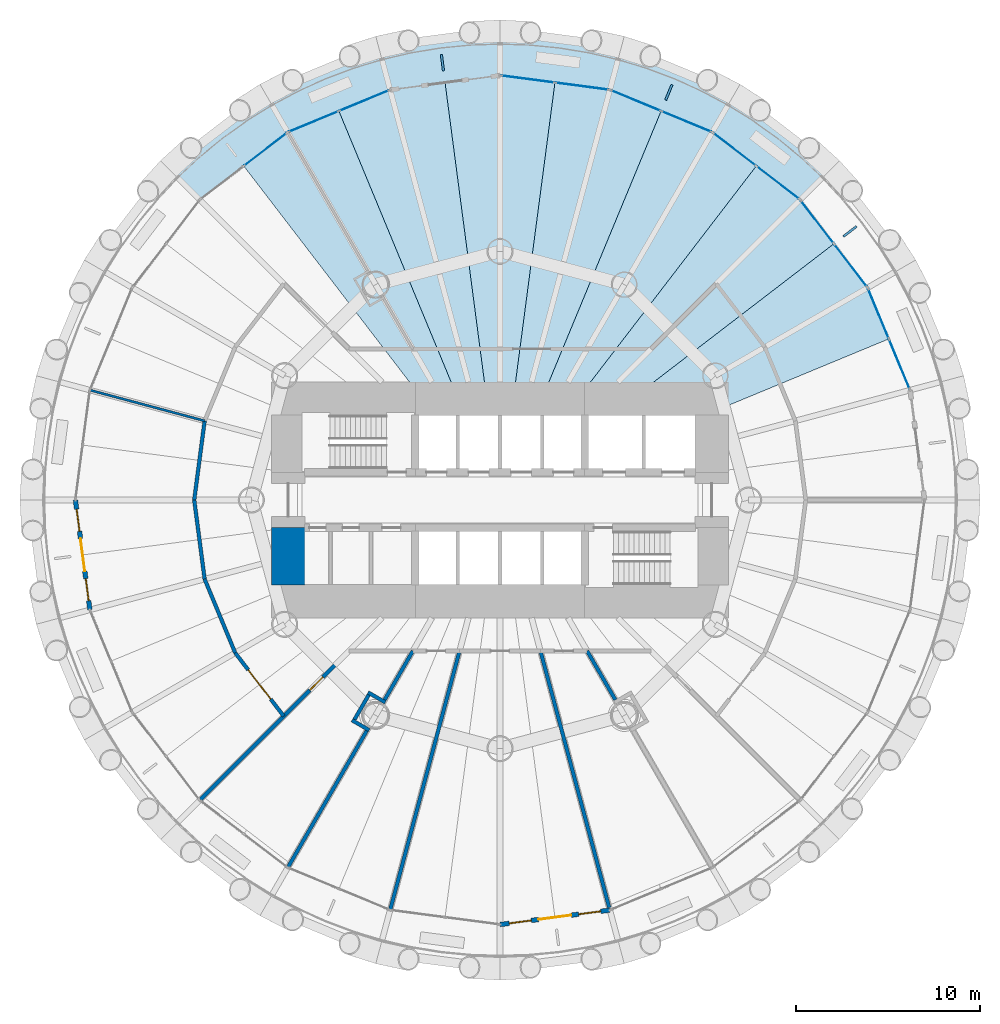
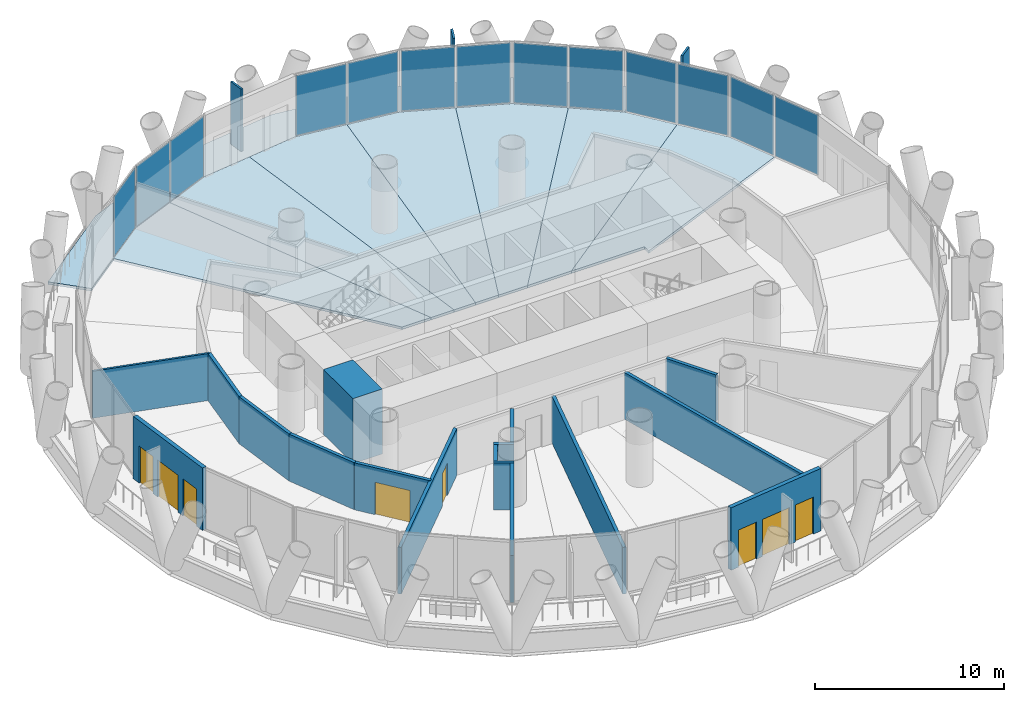
# One storey, part 8 of 14: 17 walls, 16 plates, 8 slabs, 4 doors, 4 windows, 8 openings, 7 elements without a shape of their own.
"""IFC4 building model written with IfcOpenShell, lengths in metres."""

from ifc_helpers import new_model, si_unit, direction, frame, frame_2d, origin, origin_2d, place, context, subcontext, project, spatial, polyline, rectangle, outline, extrude, material, layer, layer_set, type_object, element, fill, aggregate, save


model = new_model("IFC4")

# Units and contexts
model_context = context("Model", 3, precision=1e-05, world=origin(), true_north=direction((0.0, 1.0)))
body_context = subcontext(model_context, "Body", "Model", "MODEL_VIEW")
ifc_project = project(units=[si_unit("LENGTHUNIT", "METRE"), si_unit("AREAUNIT", "SQUARE_METRE"), si_unit("VOLUMEUNIT", "CUBIC_METRE"), si_unit("PLANEANGLEUNIT", "RADIAN"), si_unit("MASSUNIT", "GRAM", prefix="KILO")], contexts=[model_context])

# Site, building, storey
site_placement = place(None, origin())
site = spatial("IfcSite", under=ifc_project, at=site_placement, CompositionType="ELEMENT")
building_placement = place(site_placement, origin())
building = spatial("IfcBuilding", under=site, at=building_placement, Name="Qaws Media Tower", CompositionType="ELEMENT")
storey_placement = place(building_placement, frame((0.0, 0.0, 93.199951171875)))
storey = spatial("IfcBuildingStorey", under=building, at=storey_placement, Name="L20", CompositionType="ELEMENT", Elevation=93.199951171875)

# Slabs
ifc_material_1 = material(Name="Concrete C35/45", Category="concrete")
ifc_layer_1 = layer(ifc_material_1, 0.159912109375)
ifc_layer_set_1 = layer_set([ifc_layer_1], Name="Composite balcony slab 160")
slab_type_1 = type_object("IfcSlabType", Name="Composite balcony slab 160", PredefinedType="FLOOR", material=ifc_layer_set_1)
slab_1_placement = place(storey_placement, frame((0.0, 0.0, -0.159912109375)))
element("IfcSlab", 1, at=slab_1_placement, inside=storey, type_object=slab_type_1, Name="S2 balcony slab L20 R04 to R10, movement joints on R04 and R10", PredefinedType="FLOOR", context=body_context, shape_type="SweptSolid", body=[
    extrude(outline(polyline([(47.27490234375, 72.040283203125), (53.4130859375, 74.582763671875), (60.0, 75.449951171875), (66.5869140625, 74.582763671875), (72.72509765625, 72.040283203125), (77.995849609375, 67.995849609375), (76.298828125, 66.298828125), (71.52490234375, 69.9619140625), (65.9658203125, 72.2646484375), (60.0, 73.050048828125), (54.0341796875, 72.2646484375), (48.47509765625, 69.9619140625), (43.701171875, 66.298828125), (42.004150390625, 67.995849609375), (47.27490234375, 72.040283203125)])), origin(), (0.0, 0.0, 1.0), 0.159912109375),
])
ifc_material_2 = material(Name="Concrete C35/45", Category="concrete")
ifc_layer_2 = layer(ifc_material_2, 0.159912109375)
ifc_layer_set_2 = layer_set([ifc_layer_2], Name="Composite floor slab 160")
slab_type_2 = type_object("IfcSlabType", Name="Composite floor slab 160", PredefinedType="FLOOR", material=ifc_layer_set_2)
slab_2_placement = place(storey_placement, frame((0.0, 0.0, -0.159912109375)))
element("IfcSlab", 2, at=slab_2_placement, inside=storey, type_object=slab_type_2, Name="S1 floor panel L20 on R03", PredefinedType="FLOOR", context=body_context, shape_type="SweptSolid", body=[
    extrude(outline(polyline([(79.9619140625, 61.52490234375), (81.11328125, 58.745361328125), (71.0, 54.556396484375), (71.0, 55.0), (66.51611328125, 55.0), (78.13037109375, 63.911865234375), (79.9619140625, 61.52490234375)])), origin(), (0.0, 0.0, 1.0), 0.159912109375),
])
slab_3_placement = place(storey_placement, frame((0.0, 0.0, -0.159912109375)))
element("IfcSlab", 3, at=slab_3_placement, inside=storey, type_object=slab_type_2, Name="S1 floor panel L20 on R04", PredefinedType="FLOOR", context=body_context, shape_type="SweptSolid", body=[
    extrude(outline(polyline([(76.298828125, 66.298828125), (78.13037109375, 63.911865234375), (66.51611328125, 55.0), (63.836669921875, 55.0), (73.911865234375, 68.13037109375), (76.298828125, 66.298828125)])), origin(), (0.0, 0.0, 1.0), 0.159912109375),
])
slab_4_placement = place(storey_placement, frame((0.0, 0.0, -0.159912109375)))
element("IfcSlab", 4, at=slab_4_placement, inside=storey, type_object=slab_type_2, Name="S1 floor panel L20 on R05", PredefinedType="FLOOR", context=body_context, shape_type="SweptSolid", body=[
    extrude(outline(polyline([(71.52490234375, 69.9619140625), (73.911865234375, 68.13037109375), (63.836669921875, 55.0), (62.071044921875, 55.0), (68.745361328125, 71.11328125), (71.52490234375, 69.9619140625)])), origin(), (0.0, 0.0, 1.0), 0.159912109375),
])
slab_5_placement = place(storey_placement, frame((0.0, 0.0, -0.159912109375)))
element("IfcSlab", 5, at=slab_5_placement, inside=storey, type_object=slab_type_2, Name="S1 floor panel L20 on R06", PredefinedType="FLOOR", context=body_context, shape_type="SweptSolid", body=[
    extrude(outline(polyline([(65.9658203125, 72.2646484375), (68.745361328125, 71.11328125), (62.071044921875, 55.0), (60.658203125, 55.0), (62.98291015625, 72.6572265625), (65.9658203125, 72.2646484375)])), origin(), (0.0, 0.0, 1.0), 0.159912109375),
])
slab_6_placement = place(storey_placement, frame((0.0, 0.0, -0.159912109375)))
element("IfcSlab", 6, at=slab_6_placement, inside=storey, type_object=slab_type_2, Name="S1 floor panel L20 on R07", PredefinedType="FLOOR", context=body_context, shape_type="SweptSolid", body=[
    extrude(outline(polyline([(60.0, 73.050048828125), (62.98291015625, 72.6572265625), (60.658203125, 55.0), (59.341796875, 55.0), (57.01708984375, 72.6572265625), (60.0, 73.050048828125)])), origin(), (0.0, 0.0, 1.0), 0.159912109375),
])
slab_7_placement = place(storey_placement, frame((0.0, 0.0, -0.159912109375)))
element("IfcSlab", 7, at=slab_7_placement, inside=storey, type_object=slab_type_2, Name="S1 floor panel L20 on R08", PredefinedType="FLOOR", context=body_context, shape_type="SweptSolid", body=[
    extrude(outline(polyline([(54.0341796875, 72.2646484375), (57.01708984375, 72.6572265625), (59.341796875, 55.0), (57.928955078125, 55.0), (51.254638671875, 71.11328125), (54.0341796875, 72.2646484375)])), origin(), (0.0, 0.0, 1.0), 0.159912109375),
])
slab_8_placement = place(storey_placement, frame((0.0, 0.0, -0.159912109375)))
element("IfcSlab", 8, at=slab_8_placement, inside=storey, type_object=slab_type_2, Name="S1 floor panel L20 on R09", PredefinedType="FLOOR", context=body_context, shape_type="SweptSolid", body=[
    extrude(outline(polyline([(48.47509765625, 69.9619140625), (51.254638671875, 71.11328125), (57.928955078125, 55.0), (56.163330078125, 55.0), (46.088134765625, 68.13037109375), (48.47509765625, 69.9619140625)])), origin(), (0.0, 0.0, 1.0), 0.159912109375),
])

# Curtain wall, plates
ifc_material_3 = material(Name="Aluminium and clear glass", Category="aluminium")
curtain_wall_type = type_object("IfcCurtainWallType", Name="Unitised curtain wall CW-A", PredefinedType="NOTDEFINED", material=ifc_material_3)
curtain_wall_1_placement = place(storey_placement, origin())
curtain_wall_1 = element("IfcCurtainWall", 9, at=curtain_wall_1_placement, inside=storey, type_object=curtain_wall_type, Name="CWA curtain wall L20-02", PredefinedType="NOTDEFINED")
ifc_material_4 = material(Name="Clear laminated double glazing", Category="glass")
ifc_layer_3 = layer(ifc_material_4, 0.031982421875)
ifc_layer_set_3 = layer_set([ifc_layer_3], Name="Curtain wall glass unit 32")
plate_type_1 = type_object("IfcPlateType", Name="Curtain wall glass unit 32", PredefinedType="CURTAIN_PANEL", material=ifc_layer_set_3)
plate_1_placement = place(storey_placement, frame((81.68115234375, 57.3740234375, 0.080078125), z_axis=(0.0, 0.0, 1.0), x_axis=(-0.382683328183, 0.923879575665, 0.0)))
plate_1 = element("IfcPlate", 10, at=plate_1_placement, type_object=plate_type_1, Name="CWA panel 1.1", PredefinedType="CURTAIN_PANEL", context=body_context, shape_type="SweptSolid", body=[
    extrude(rectangle(XDim=2.888671875, YDim=0.031982421875, at=origin_2d()), origin(), (0.0, 0.0, 1.0), 3.8798828125),
])
plate_2_placement = place(storey_placement, frame((80.545166015625, 60.11669921875, 0.080078125), z_axis=(0.0, 0.0, 1.0), x_axis=(-0.382683328183, 0.923879575665, 0.0)))
plate_2 = element("IfcPlate", 11, at=plate_2_placement, type_object=plate_type_1, Name="CWA panel 2.1", PredefinedType="CURTAIN_PANEL", context=body_context, shape_type="SweptSolid", body=[
    extrude(rectangle(XDim=2.888671875, YDim=0.031982421875, at=origin_2d()), origin(), (0.0, 0.0, 1.0), 3.8798828125),
])
aggregate(curtain_wall_1, [plate_1, plate_2])

curtain_wall_2_placement = place(storey_placement, origin())
curtain_wall_2 = element("IfcCurtainWall", 12, at=curtain_wall_2_placement, inside=storey, type_object=curtain_wall_type, Name="CWA curtain wall L20-03", PredefinedType="NOTDEFINED")
plate_3_placement = place(storey_placement, frame((79.033935546875, 62.734375, 0.080078125), z_axis=(0.0, 0.0, 1.0), x_axis=(-0.608761531958, 0.793353261295, 0.0)))
plate_3 = element("IfcPlate", 13, at=plate_3_placement, type_object=plate_type_1, Name="CWA panel 1.1", PredefinedType="CURTAIN_PANEL", context=body_context, shape_type="SweptSolid", body=[
    extrude(rectangle(XDim=2.888671875, YDim=0.031982421875, at=origin_2d()), origin(), (0.0, 0.0, 1.0), 3.8798828125),
])
plate_4_placement = place(storey_placement, frame((77.226806640625, 65.089599609375, 0.080078125), z_axis=(0.0, 0.0, 1.0), x_axis=(-0.608761531958, 0.793353261295, 0.0)))
plate_4 = element("IfcPlate", 14, at=plate_4_placement, type_object=plate_type_1, Name="CWA panel 2.1", PredefinedType="CURTAIN_PANEL", context=body_context, shape_type="SweptSolid", body=[
    extrude(rectangle(XDim=2.888671875, YDim=0.031982421875, at=origin_2d()), origin(), (0.0, 0.0, 1.0), 3.8798828125),
])
aggregate(curtain_wall_2, [plate_3, plate_4])

curtain_wall_3_placement = place(storey_placement, origin())
curtain_wall_3 = element("IfcCurtainWall", 15, at=curtain_wall_3_placement, inside=storey, type_object=curtain_wall_type, Name="CWA curtain wall L20-04", PredefinedType="NOTDEFINED")
plate_5_placement = place(storey_placement, frame((75.089599609375, 67.226806640625, 0.080078125), z_axis=(0.0, 0.0, 1.0), x_axis=(-0.793353261295, 0.608761531958, 0.0)))
plate_5 = element("IfcPlate", 16, at=plate_5_placement, type_object=plate_type_1, Name="CWA panel 1.1", PredefinedType="CURTAIN_PANEL", context=body_context, shape_type="SweptSolid", body=[
    extrude(rectangle(XDim=2.888671875, YDim=0.031982421875, at=origin_2d()), origin(), (0.0, 0.0, 1.0), 3.8798828125),
])
plate_6_placement = place(storey_placement, frame((72.734375, 69.033935546875, 0.080078125), z_axis=(0.0, 0.0, 1.0), x_axis=(-0.793353261295, 0.608761531958, 0.0)))
plate_6 = element("IfcPlate", 17, at=plate_6_placement, type_object=plate_type_1, Name="CWA panel 2.1", PredefinedType="CURTAIN_PANEL", context=body_context, shape_type="SweptSolid", body=[
    extrude(rectangle(XDim=2.888671875, YDim=0.031982421875, at=origin_2d()), origin(), (0.0, 0.0, 1.0), 3.8798828125),
])
aggregate(curtain_wall_3, [plate_5, plate_6])

curtain_wall_4_placement = place(storey_placement, origin())
curtain_wall_4 = element("IfcCurtainWall", 18, at=curtain_wall_4_placement, inside=storey, type_object=curtain_wall_type, Name="CWA curtain wall L20-05", PredefinedType="NOTDEFINED")
plate_7_placement = place(storey_placement, frame((70.11669921875, 70.545166015625, 0.080078125), z_axis=(0.0, 0.0, 1.0), x_axis=(-0.923879575665, 0.382683328183, 0.0)))
plate_7 = element("IfcPlate", 19, at=plate_7_placement, type_object=plate_type_1, Name="CWA panel 1.1", PredefinedType="CURTAIN_PANEL", context=body_context, shape_type="SweptSolid", body=[
    extrude(rectangle(XDim=2.888671875, YDim=0.031982421875, at=origin_2d()), origin(), (0.0, 0.0, 1.0), 3.8798828125),
])
plate_8_placement = place(storey_placement, frame((67.3740234375, 71.68115234375, 0.080078125), z_axis=(0.0, 0.0, 1.0), x_axis=(-0.923879575665, 0.382683328183, 0.0)))
plate_8 = element("IfcPlate", 20, at=plate_8_placement, type_object=plate_type_1, Name="CWA panel 2.1", PredefinedType="CURTAIN_PANEL", context=body_context, shape_type="SweptSolid", body=[
    extrude(rectangle(XDim=2.888671875, YDim=0.031982421875, at=origin_2d()), origin(), (0.0, 0.0, 1.0), 3.8798828125),
])
aggregate(curtain_wall_4, [plate_7, plate_8])

curtain_wall_5_placement = place(storey_placement, origin())
curtain_wall_5 = element("IfcCurtainWall", 21, at=curtain_wall_5_placement, inside=storey, type_object=curtain_wall_type, Name="CWA curtain wall L20-06", PredefinedType="NOTDEFINED")
plate_9_placement = place(storey_placement, frame((64.45458984375, 72.463623046875, 0.080078125), z_axis=(0.0, 0.0, 1.0), x_axis=(-0.991444855038, 0.130526240342, 0.0)))
plate_9 = element("IfcPlate", 22, at=plate_9_placement, type_object=plate_type_1, Name="CWA panel 1.1", PredefinedType="CURTAIN_PANEL", context=body_context, shape_type="SweptSolid", body=[
    extrude(rectangle(XDim=2.888671875, YDim=0.031982421875, at=origin_2d()), origin(), (0.0, 0.0, 1.0), 3.8798828125),
])
plate_10_placement = place(storey_placement, frame((61.51123046875, 72.85107421875, 0.080078125), z_axis=(0.0, 0.0, 1.0), x_axis=(-0.991444855038, 0.130526240342, 0.0)))
plate_10 = element("IfcPlate", 23, at=plate_10_placement, type_object=plate_type_1, Name="CWA panel 2.1", PredefinedType="CURTAIN_PANEL", context=body_context, shape_type="SweptSolid", body=[
    extrude(rectangle(XDim=2.888671875, YDim=0.031982421875, at=origin_2d()), origin(), (0.0, 0.0, 1.0), 3.8798828125),
])
aggregate(curtain_wall_5, [plate_9, plate_10])

curtain_wall_6_placement = place(storey_placement, origin())
curtain_wall_6 = element("IfcCurtainWall", 24, at=curtain_wall_6_placement, inside=storey, type_object=curtain_wall_type, Name="CWA curtain wall L20-08", PredefinedType="NOTDEFINED")
plate_11_placement = place(storey_placement, frame((52.6259765625, 71.68115234375, 0.080078125), z_axis=(0.0, 0.0, 1.0), x_axis=(-0.923879575665, -0.382683328183, 0.0)))
plate_11 = element("IfcPlate", 25, at=plate_11_placement, type_object=plate_type_1, Name="CWA panel 1.1", PredefinedType="CURTAIN_PANEL", context=body_context, shape_type="SweptSolid", body=[
    extrude(rectangle(XDim=2.888671875, YDim=0.031982421875, at=origin_2d()), origin(), (0.0, 0.0, 1.0), 3.8798828125),
])
plate_12_placement = place(storey_placement, frame((49.88330078125, 70.545166015625, 0.080078125), z_axis=(0.0, 0.0, 1.0), x_axis=(-0.923879575665, -0.382683328183, 0.0)))
plate_12 = element("IfcPlate", 26, at=plate_12_placement, type_object=plate_type_1, Name="CWA panel 2.1", PredefinedType="CURTAIN_PANEL", context=body_context, shape_type="SweptSolid", body=[
    extrude(rectangle(XDim=2.888671875, YDim=0.031982421875, at=origin_2d()), origin(), (0.0, 0.0, 1.0), 3.8798828125),
])
aggregate(curtain_wall_6, [plate_11, plate_12])

# Curtain wall, plate
curtain_wall_7_placement = place(storey_placement, origin())
curtain_wall_7 = element("IfcCurtainWall", 27, at=curtain_wall_7_placement, inside=storey, type_object=curtain_wall_type, Name="CWA curtain wall L20-09", PredefinedType="NOTDEFINED")
plate_13_placement = place(storey_placement, frame((47.265625, 69.033935546875, 0.080078125), z_axis=(0.0, 0.0, 1.0), x_axis=(-0.793353261295, -0.608761531958, 0.0)))
plate_13 = element("IfcPlate", 28, at=plate_13_placement, type_object=plate_type_1, Name="CWA panel 1.1", PredefinedType="CURTAIN_PANEL", context=body_context, shape_type="SweptSolid", body=[
    extrude(rectangle(XDim=2.888671875, YDim=0.031982421875, at=origin_2d()), origin(), (0.0, 0.0, 1.0), 3.8798828125),
])
aggregate(curtain_wall_7, [plate_13])

# Plates
ifc_material_5 = material(Name="Precast concrete screen fin", Category="concrete")
ifc_layer_4 = layer(ifc_material_5, 0.1201171875)
ifc_layer_set_4 = layer_set([ifc_layer_4], Name="Screen fin 120x900")
plate_type_2 = type_object("IfcPlateType", Name="Screen fin 120x900", PredefinedType="USERDEFINED", material=ifc_layer_set_4)
for number, where, z_axis, x_axis, name in (
    (29, (79.000732421875, 64.579833984375, 0.0), (0.0, 0.0, 1.0), (0.793353340291, 0.608761429009, 0.0), "SCR1 screen fin L20-02"),
    (30, (69.165283203125, 72.126953125, 0.0), (0.0, 0.0, 1.0), (0.382683432365, 0.923879532511, 0.0), "SCR1 screen fin L20-03"),
    (31, (56.873779296875, 73.7451171875, 0.0), (0.0, 0.0, 1.0), (-0.13052619222, 0.991444861374, 0.0), "SCR1 screen fin L20-04"),
):
    element("IfcPlate", number, at=place(storey_placement, frame(where, z_axis=z_axis, x_axis=x_axis)), inside=storey, type_object=plate_type_2, Name=name, ObjectType="SCREEN", PredefinedType="USERDEFINED", context=body_context, shape_type="SweptSolid", body=[
        extrude(rectangle(XDim=0.89990234375, YDim=0.1201171875, at=origin_2d()), origin(), (0.0, 0.0, 1.0), 4.0400390625),
    ])

# Wall, openings, door, windows
ifc_material_6 = material(Name="Precast concrete, exposed finish", Category="concrete")
ifc_layer_5 = layer(ifc_material_6, 0.25)
ifc_layer_set_5 = layer_set([ifc_layer_5], Name="Balcony door wall 250")
wall_type_1 = type_object("IfcWallType", Name="Balcony door wall 250", PredefinedType="SOLIDWALL", material=ifc_layer_set_5)
wall_1_placement = place(storey_placement, frame((36.949951171875, 50.0, 0.0), z_axis=(0.0, 0.0, 1.0), x_axis=(0.130523782115, -0.991445178667, 0.0)))
wall_1 = element("IfcWall", 32, at=wall_1_placement, inside=storey, type_object=wall_type_1, Name="W161 EW1 balcony door wall L20-13", PredefinedType="SOLIDWALL", context=body_context, shape_type="SweptSolid", body=[
    extrude(rectangle(XDim=6.017333984375, YDim=0.25, at=frame_2d((3.0087890625, 0.0))), origin(), (0.0, 0.0, 1.0), 4.0400390625),
])
opening_1_placement = place(wall_1_placement, frame((2.108642578125, 0.0, 0.0)))
opening_1 = element("IfcOpeningElement", 33, at=opening_1_placement, cuts=wall_1, Name="Opening D7", PredefinedType="OPENING", context=body_context, shape_type="SweptSolid", body=[
    extrude(rectangle(XDim=1.800048828125, YDim=2.39990234375, at=frame_2d((0.89990234375, 1.199951171875))), frame((0.0, 0.135009765625, 0.0), z_axis=(0.0, -1.0, 0.0), x_axis=(1.0, 0.0, 0.0)), (0.0, 0.0, 1.0), 0.27001953125),
])
opening_2_placement = place(wall_1_placement, frame((0.508544921875, 0.0, 0.0)))
opening_2 = element("IfcOpeningElement", 34, at=opening_2_placement, cuts=wall_1, Name="Opening W1", PredefinedType="OPENING", context=body_context, shape_type="SweptSolid", body=[
    extrude(rectangle(XDim=1.199951171875, YDim=2.39990234375, at=frame_2d((0.60009765625, 1.199951171875))), frame((0.0, 0.135009765625, 0.0), z_axis=(0.0, -1.0, 0.0), x_axis=(1.0, 0.0, 0.0)), (0.0, 0.0, 1.0), 0.27001953125),
])
opening_3_placement = place(wall_1_placement, frame((4.30859375, 0.0, 0.0)))
opening_3 = element("IfcOpeningElement", 35, at=opening_3_placement, cuts=wall_1, Name="Opening W1", PredefinedType="OPENING", context=body_context, shape_type="SweptSolid", body=[
    extrude(rectangle(XDim=1.199951171875, YDim=2.39990234375, at=frame_2d((0.60009765625, 1.199951171875))), frame((0.0, 0.135009765625, 0.0), z_axis=(0.0, -1.0, 0.0), x_axis=(1.0, 0.0, 0.0)), (0.0, 0.0, 1.0), 0.27001953125),
])
ifc_material_7 = material(Name="Aluminium and clear glass", Category="aluminium")
door_type_1 = type_object("IfcDoorType", Name="Balcony door pair 1800", OperationType="DOUBLE_DOOR_SLIDING", PredefinedType="DOOR", material=ifc_material_7)
door_1_placement = place(opening_1_placement, origin())
door_1 = element("IfcDoor", 36, at=door_1_placement, inside=storey, type_object=door_type_1, Name="D7 balcony door L20-13 in wall W161", OperationType="DOUBLE_DOOR_SLIDING", OverallHeight=2.39990234375, OverallWidth=1.800048828125, PredefinedType="DOOR", context=body_context, shape_type="SweptSolid", body=[
    extrude(rectangle(XDim=1.800048828125, YDim=2.39990234375, at=frame_2d((0.89990234375, 1.199951171875))), frame((0.0, 0.02490234375, 0.0), z_axis=(0.0, -1.0, 0.0), x_axis=(1.0, 0.0, 0.0)), (0.0, 0.0, 1.0), 0.050048828125),
])
fill(opening_1, door_1)
ifc_material_8 = material(Name="Aluminium and clear glass", Category="aluminium")
window_type = type_object("IfcWindowType", Name="Balcony side window 1200", PartitioningType="SINGLE_PANEL", PredefinedType="WINDOW", material=ifc_material_8)
window_1_placement = place(opening_2_placement, origin())
window_1 = element("IfcWindow", 37, at=window_1_placement, inside=storey, type_object=window_type, Name="W1 balcony side light L20-13L", OverallHeight=2.39990234375, OverallWidth=1.199951171875, PartitioningType="SINGLE_PANEL", PredefinedType="WINDOW", context=body_context, shape_type="SweptSolid", body=[
    extrude(rectangle(XDim=1.199951171875, YDim=2.39990234375, at=frame_2d((0.60009765625, 1.199951171875))), frame((0.0, 0.030029296875, 0.0), z_axis=(0.0, -1.0, 0.0), x_axis=(1.0, 0.0, 0.0)), (0.0, 0.0, 1.0), 0.06005859375),
])
fill(opening_2, window_1)
window_2_placement = place(opening_3_placement, origin())
window_2 = element("IfcWindow", 38, at=window_2_placement, inside=storey, type_object=window_type, Name="W1 balcony side light L20-13R", OverallHeight=2.39990234375, OverallWidth=1.199951171875, PartitioningType="SINGLE_PANEL", PredefinedType="WINDOW", context=body_context, shape_type="SweptSolid", body=[
    extrude(rectangle(XDim=1.199951171875, YDim=2.39990234375, at=frame_2d((0.60009765625, 1.199951171875))), frame((0.0, 0.030029296875, 0.0), z_axis=(0.0, -1.0, 0.0), x_axis=(1.0, 0.0, 0.0)), (0.0, 0.0, 1.0), 0.06005859375),
])
fill(opening_3, window_2)

wall_2_placement = place(storey_placement, frame((60.0, 26.949951171875, 0.0), z_axis=(0.0, 0.0, 1.0), x_axis=(0.991445178667, 0.130523782115, 0.0)))
wall_2 = element("IfcWall", 39, at=wall_2_placement, inside=storey, type_object=wall_type_1, Name="W150 EW1 balcony door wall L20-19", PredefinedType="SOLIDWALL", context=body_context, shape_type="SweptSolid", body=[
    extrude(rectangle(XDim=6.017333984375, YDim=0.25, at=frame_2d((3.0087890625, 0.0))), origin(), (0.0, 0.0, 1.0), 4.0400390625),
])
opening_4_placement = place(wall_2_placement, frame((2.108642578125, 0.0, 0.0)))
opening_4 = element("IfcOpeningElement", 40, at=opening_4_placement, cuts=wall_2, Name="Opening D7", PredefinedType="OPENING", context=body_context, shape_type="SweptSolid", body=[
    extrude(rectangle(XDim=1.800048828125, YDim=2.39990234375, at=frame_2d((0.89990234375, 1.199951171875))), frame((0.0, 0.135009765625, 0.0), z_axis=(0.0, -1.0, 0.0), x_axis=(1.0, 0.0, 0.0)), (0.0, 0.0, 1.0), 0.27001953125),
])
opening_5_placement = place(wall_2_placement, frame((0.508544921875, 0.0, 0.0)))
opening_5 = element("IfcOpeningElement", 41, at=opening_5_placement, cuts=wall_2, Name="Opening W1", PredefinedType="OPENING", context=body_context, shape_type="SweptSolid", body=[
    extrude(rectangle(XDim=1.199951171875, YDim=2.39990234375, at=frame_2d((0.60009765625, 1.199951171875))), frame((0.0, 0.135009765625, 0.0), z_axis=(0.0, -1.0, 0.0), x_axis=(1.0, 0.0, 0.0)), (0.0, 0.0, 1.0), 0.27001953125),
])
opening_6_placement = place(wall_2_placement, frame((4.30859375, 0.0, 0.0)))
opening_6 = element("IfcOpeningElement", 42, at=opening_6_placement, cuts=wall_2, Name="Opening W1", PredefinedType="OPENING", context=body_context, shape_type="SweptSolid", body=[
    extrude(rectangle(XDim=1.199951171875, YDim=2.39990234375, at=frame_2d((0.60009765625, 1.199951171875))), frame((0.0, 0.135009765625, 0.0), z_axis=(0.0, -1.0, 0.0), x_axis=(1.0, 0.0, 0.0)), (0.0, 0.0, 1.0), 0.27001953125),
])
door_2_placement = place(opening_4_placement, origin())
door_2 = element("IfcDoor", 43, at=door_2_placement, inside=storey, type_object=door_type_1, Name="D7 balcony door L20-19 in wall W150", OperationType="DOUBLE_DOOR_SLIDING", OverallHeight=2.39990234375, OverallWidth=1.800048828125, PredefinedType="DOOR", context=body_context, shape_type="SweptSolid", body=[
    extrude(rectangle(XDim=1.800048828125, YDim=2.39990234375, at=frame_2d((0.89990234375, 1.199951171875))), frame((0.0, 0.02490234375, 0.0), z_axis=(0.0, -1.0, 0.0), x_axis=(1.0, 0.0, 0.0)), (0.0, 0.0, 1.0), 0.050048828125),
])
fill(opening_4, door_2)
window_3_placement = place(opening_5_placement, origin())
window_3 = element("IfcWindow", 44, at=window_3_placement, inside=storey, type_object=window_type, Name="W1 balcony side light L20-19L", OverallHeight=2.39990234375, OverallWidth=1.199951171875, PartitioningType="SINGLE_PANEL", PredefinedType="WINDOW", context=body_context, shape_type="SweptSolid", body=[
    extrude(rectangle(XDim=1.199951171875, YDim=2.39990234375, at=frame_2d((0.60009765625, 1.199951171875))), frame((0.0, 0.030029296875, 0.0), z_axis=(0.0, -1.0, 0.0), x_axis=(1.0, 0.0, 0.0)), (0.0, 0.0, 1.0), 0.06005859375),
])
fill(opening_5, window_3)
window_4_placement = place(opening_6_placement, origin())
window_4 = element("IfcWindow", 45, at=window_4_placement, inside=storey, type_object=window_type, Name="W1 balcony side light L20-19R", OverallHeight=2.39990234375, OverallWidth=1.199951171875, PartitioningType="SINGLE_PANEL", PredefinedType="WINDOW", context=body_context, shape_type="SweptSolid", body=[
    extrude(rectangle(XDim=1.199951171875, YDim=2.39990234375, at=frame_2d((0.60009765625, 1.199951171875))), frame((0.0, 0.030029296875, 0.0), z_axis=(0.0, -1.0, 0.0), x_axis=(1.0, 0.0, 0.0)), (0.0, 0.0, 1.0), 0.06005859375),
])
fill(opening_6, window_4)

# Walls
ifc_material_9 = material(Name="Concrete C60/75", Category="concrete")
ifc_layer_6 = layer(ifc_material_9, 1.800048828125)
ifc_layer_set_6 = layer_set([ifc_layer_6], Name="Core wall 1800")
wall_type_2 = type_object("IfcWallType", Name="Core wall 1800", PredefinedType="SHEAR", material=ifc_layer_set_6)
wall_3_placement = place(storey_placement, frame((48.5, 45.3798828125, 0.0), z_axis=(0.0, 0.0, 1.0), x_axis=(0.0, 1.0, 0.0)))
element("IfcWall", 46, at=wall_3_placement, inside=storey, type_object=wall_type_2, Name="W400 SW11 core wall WS L20", PredefinedType="SHEAR", context=body_context, shape_type="SweptSolid", body=[
    extrude(rectangle(XDim=3.1201171875, YDim=1.800048828125, at=frame_2d((1.56005859375, 0.0))), origin(), (0.0, 0.0, 1.0), 4.199951171875),
])
ifc_material_10 = material(Name="Two layers gypsum board each side on 75 studs, insulated", Category="gypsum")
ifc_layer_7 = layer(ifc_material_10, 0.125)
ifc_layer_set_7 = layer_set([ifc_layer_7], Name="Meeting room partition 125 Rw 48")
wall_type_3 = type_object("IfcWallType", Name="Meeting room partition 125 Rw 48", PredefinedType="PARTITIONING", material=ifc_layer_set_7)
wall_4_placement = place(storey_placement, frame((43.965576171875, 54.29638671875, 0.0), z_axis=(0.0, 0.0, 1.0), x_axis=(-0.965930201129, 0.258802717427, 0.0)))
element("IfcWall", 47, at=wall_4_placement, inside=storey, type_object=wall_type_3, Name="W524 IW5 partition L20", PredefinedType="PARTITIONING", context=body_context, shape_type="SweptSolid", body=[
    extrude(rectangle(XDim=6.41015625, YDim=0.125, at=frame_2d((3.205078125, 0.0))), origin(), (0.0, 0.0, 1.0), 3.0400390625),
])

# Wall, opening, door
ifc_material_11 = material(Name="Gypsum board on galvanised metal studs, acoustic double stud, deflection head", Category="gypsum")
ifc_layer_8 = layer(ifc_material_11, 0.199951171875)
ifc_layer_set_8 = layer_set([ifc_layer_8], Name="Room partition 200")
wall_type_4 = type_object("IfcWallType", Name="Room partition 200", PredefinedType="PARTITIONING", material=ifc_layer_set_8)
wall_5_placement = place(storey_placement, frame((48.261962890625, 38.261962890625, 0.0), z_axis=(0.0, 0.0, 1.0), x_axis=(-0.60874374674, 0.79336690806, 0.0)))
wall_5 = element("IfcWall", 48, at=wall_5_placement, inside=storey, type_object=wall_type_4, Name="W993 IW3 partition L20", PredefinedType="PARTITIONING", context=body_context, shape_type="SweptSolid", body=[
    extrude(rectangle(XDim=4.33349609375, YDim=0.199951171875, at=frame_2d((2.166748046875, 0.0))), origin(), (0.0, 0.0, 1.0), 3.0400390625),
])
opening_7_placement = place(wall_5_placement, frame((1.166748046875, 0.0, 0.0)))
opening_7 = element("IfcOpeningElement", 49, at=opening_7_placement, cuts=wall_5, Name="Opening D6", PredefinedType="OPENING", context=body_context, shape_type="SweptSolid", body=[
    extrude(rectangle(XDim=2.0, YDim=2.10009765625, at=frame_2d((1.0, 1.050048828125))), frame((0.0, 0.10986328125, 0.0), z_axis=(0.0, -1.0, 0.0), x_axis=(1.0, 0.0, 0.0)), (0.0, 0.0, 1.0), 0.219970703125),
])
ifc_material_12 = material(Name="Steel, acoustic, fire rated", Category="steel")
door_type_2 = type_object("IfcDoorType", Name="Room door pair 2000", OperationType="DOUBLE_DOOR_DOUBLE_SWING", PredefinedType="DOOR", material=ifc_material_12)
door_3_placement = place(opening_7_placement, origin())
door_3 = element("IfcDoor", 50, at=door_3_placement, inside=storey, type_object=door_type_2, Name="D6 Media asset management office door L20 in wall W993", OperationType="DOUBLE_DOOR_DOUBLE_SWING", OverallHeight=2.10009765625, OverallWidth=2.0, PredefinedType="DOOR", context=body_context, shape_type="SweptSolid", body=[
    extrude(rectangle(XDim=2.0, YDim=2.10009765625, at=frame_2d((1.0, 1.050048828125))), frame((0.0, 0.02490234375, 0.0), z_axis=(0.0, -1.0, 0.0), x_axis=(1.0, 0.0, 0.0)), (0.0, 0.0, 1.0), 0.050048828125),
])
fill(opening_7, door_3)

# Walls
for number, where, z_axis, x_axis, name in (
    (51, (45.6240234375, 41.699951171875, 0.0), (0.0, 0.0, 1.0), (-0.382698425325, 0.923873322082, 0.0), "W991 IW3 partition L20"),
    (52, (43.965576171875, 45.70361328125, 0.0), (0.0, 0.0, 1.0), (-0.130536124221, 0.99144355375, 0.0), "W987 IW3 partition L20"),
    (53, (43.39990234375, 50.0, 0.0), (0.0, 0.0, 1.0), (0.130536124221, 0.99144355375, 0.0), "W985 IW3 partition L20"),
):
    element("IfcWall", number, at=place(storey_placement, frame(where, z_axis=z_axis, x_axis=x_axis)), inside=storey, type_object=wall_type_4, Name=name, PredefinedType="PARTITIONING", context=body_context, shape_type="SweptSolid", body=[
        extrude(rectangle(XDim=4.33349609375, YDim=0.199951171875, at=frame_2d((2.166748046875, 0.0))), origin(), (0.0, 0.0, 1.0), 3.0400390625),
    ])

# Wall, opening, door
wall_6_placement = place(storey_placement, frame((51.800048828125, 41.800048828125, 0.0), z_axis=(0.0, 0.0, 1.0), x_axis=(-0.707106781187, -0.707106781187, 0.0)))
wall_6 = element("IfcWall", 54, at=wall_6_placement, inside=storey, type_object=wall_type_4, Name="W1114 IW3 partition L20", PredefinedType="PARTITIONING", context=body_context, shape_type="SweptSolid", body=[
    extrude(rectangle(XDim=11.41357421875, YDim=0.199951171875, at=frame_2d((5.706787109375, 0.0))), origin(), (0.0, 0.0, 1.0), 3.02001953125),
])
opening_8_placement = place(wall_6_placement, frame((2.001708984375, 0.0, 0.0)))
opening_8 = element("IfcOpeningElement", 55, at=opening_8_placement, cuts=wall_6, Name="Opening D5", PredefinedType="OPENING", context=body_context, shape_type="SweptSolid", body=[
    extrude(rectangle(XDim=1.0, YDim=2.10009765625, at=frame_2d((0.5, 1.050048828125))), frame((0.0, 0.10986328125, 0.0), z_axis=(0.0, -1.0, 0.0), x_axis=(1.0, 0.0, 0.0)), (0.0, 0.0, 1.0), 0.219970703125),
])
ifc_material_13 = material(Name="Timber veneered, acoustic seal", Category="wood")
door_type_3 = type_object("IfcDoorType", Name="Room door 1000", OperationType="SINGLE_SWING_LEFT", PredefinedType="DOOR", material=ifc_material_13)
door_4_placement = place(opening_8_placement, origin())
door_4 = element("IfcDoor", 56, at=door_4_placement, inside=storey, type_object=door_type_3, Name="D5 Server room door L20 in wall W1114", OperationType="SINGLE_SWING_LEFT", OverallHeight=2.10009765625, OverallWidth=1.0, PredefinedType="DOOR", context=body_context, shape_type="SweptSolid", body=[
    extrude(rectangle(XDim=1.0, YDim=2.10009765625, at=frame_2d((0.5, 1.050048828125))), frame((0.0, 0.02490234375, 0.0), z_axis=(0.0, -1.0, 0.0), x_axis=(1.0, 0.0, 0.0)), (0.0, 0.0, 1.0), 0.050048828125),
])
fill(opening_8, door_4)

# Walls
for number, where, z_axis, x_axis, name in (
    (57, (53.772216796875, 39.012939453125, 0.0), (0.0, 0.0, 1.0), (-0.86603892542, 0.499976579108, 0.0), "W1118 IW3 partition return L20"),
    (58, (52.901123046875, 37.50439453125, 0.0), (0.0, 0.0, 1.0), (-0.86603892542, 0.499976579108, 0.0), "W1117 IW3 partition return L20"),
):
    element("IfcWall", number, at=place(storey_placement, frame(where, z_axis=z_axis, x_axis=x_axis)), inside=storey, type_object=wall_type_4, Name=name, PredefinedType="PARTITIONING", context=body_context, shape_type="SweptSolid", body=[
        extrude(rectangle(XDim=1.0810546875, YDim=0.199951171875, at=frame_2d((0.54052734375, 0.0))), origin(), (0.0, 0.0, 1.0), 3.02001953125),
    ])
wall_7_placement = place(storey_placement, frame((52.87255859375, 39.4169921875, 0.0), z_axis=(0.0, 0.0, 1.0), x_axis=(-0.499987416453, -0.866032668777, 0.0)))
element("IfcWall", 59, at=wall_7_placement, inside=storey, type_object=wall_type_4, Name="W1116 IW3 partition return L20", PredefinedType="PARTITIONING", context=body_context, shape_type="SweptSolid", body=[
    extrude(rectangle(XDim=1.5419921875, YDim=0.199951171875, at=frame_2d((0.77099609375, 0.0))), origin(), (0.0, 0.0, 1.0), 3.02001953125),
])
wall_8_placement = place(storey_placement, frame((55.27001953125, 41.807373046875, 0.0), z_axis=(0.0, 0.0, 1.0), x_axis=(-0.499997909888, -0.866026610508, 0.0)))
element("IfcWall", 60, at=wall_8_placement, inside=storey, type_object=wall_type_4, Name="W1119 IW3 partition L20", PredefinedType="PARTITIONING", context=body_context, shape_type="SweptSolid", body=[
    extrude(rectangle(XDim=3.06884765625, YDim=0.199951171875, at=frame_2d((1.534423828125, 0.0))), origin(), (0.0, 0.0, 1.0), 3.0400390625),
])
wall_9_placement = place(storey_placement, frame((52.764404296875, 37.4677734375, 0.0), z_axis=(0.0, 0.0, 1.0), x_axis=(-0.49997985027, -0.866037036924, 0.0)))
element("IfcWall", 61, at=wall_9_placement, inside=storey, type_object=wall_type_4, Name="W1115 IW3 partition L20", PredefinedType="PARTITIONING", context=body_context, shape_type="SweptSolid", body=[
    extrude(rectangle(XDim=8.538818359375, YDim=0.199951171875, at=frame_2d((4.26953125, 0.0))), origin(), (0.0, 0.0, 1.0), 3.0400390625),
])
wall_10_placement = place(storey_placement, frame((57.80517578125, 41.808837890625, 0.0), z_axis=(0.0, 0.0, 1.0), x_axis=(-0.258809713747, -0.96592832657, 0.0)))
element("IfcWall", 62, at=wall_10_placement, inside=storey, type_object=wall_type_4, Name="W1120 IW3 partition L20", PredefinedType="PARTITIONING", context=body_context, shape_type="SweptSolid", body=[
    extrude(rectangle(XDim=14.530029296875, YDim=0.199951171875, at=frame_2d((7.26513671875, 0.0))), origin(), (0.0, 0.0, 1.0), 3.02001953125),
])
wall_11_placement = place(storey_placement, frame((62.19482421875, 41.808837890625, 0.0), z_axis=(0.0, 0.0, 1.0), x_axis=(0.258811351997, -0.965927887618, 0.0)))
element("IfcWall", 63, at=wall_11_placement, inside=storey, type_object=wall_type_4, Name="W1121 IW3 partition L20", PredefinedType="PARTITIONING", context=body_context, shape_type="SweptSolid", body=[
    extrude(rectangle(XDim=14.429931640625, YDim=0.199951171875, at=frame_2d((7.21484375, 0.0))), origin(), (0.0, 0.0, 1.0), 3.02001953125),
])
wall_12_placement = place(storey_placement, frame((64.72998046875, 41.807373046875, 0.0), z_axis=(0.0, 0.0, 1.0), x_axis=(0.499997909888, -0.866026610508, 0.0)))
element("IfcWall", 64, at=wall_12_placement, inside=storey, type_object=wall_type_4, Name="W1123 IW3 partition L20", PredefinedType="PARTITIONING", context=body_context, shape_type="SweptSolid", body=[
    extrude(rectangle(XDim=3.06884765625, YDim=0.199951171875, at=frame_2d((1.534423828125, 0.0))), origin(), (0.0, 0.0, 1.0), 3.0400390625),
])

save(model, "model.ifc")
